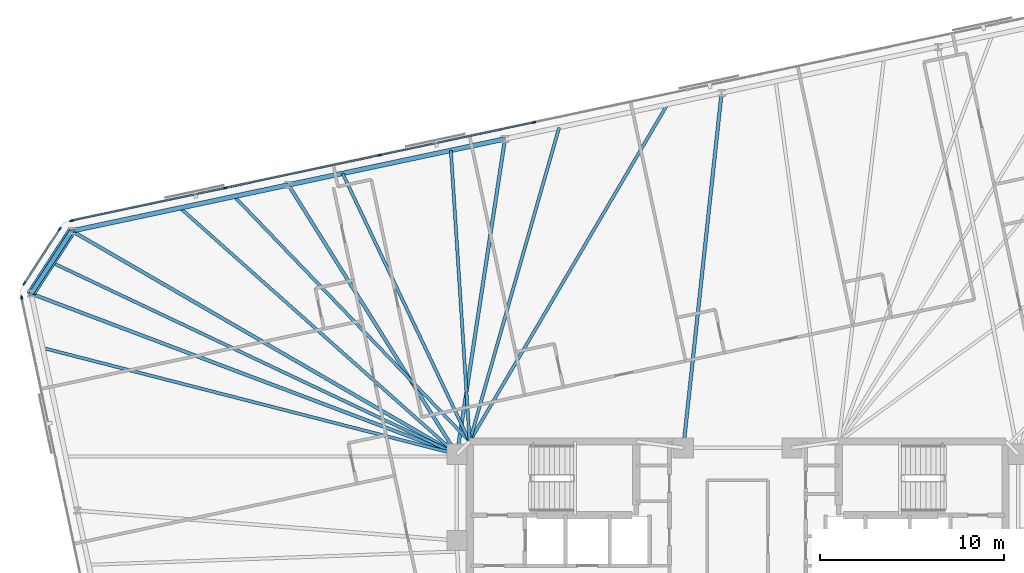
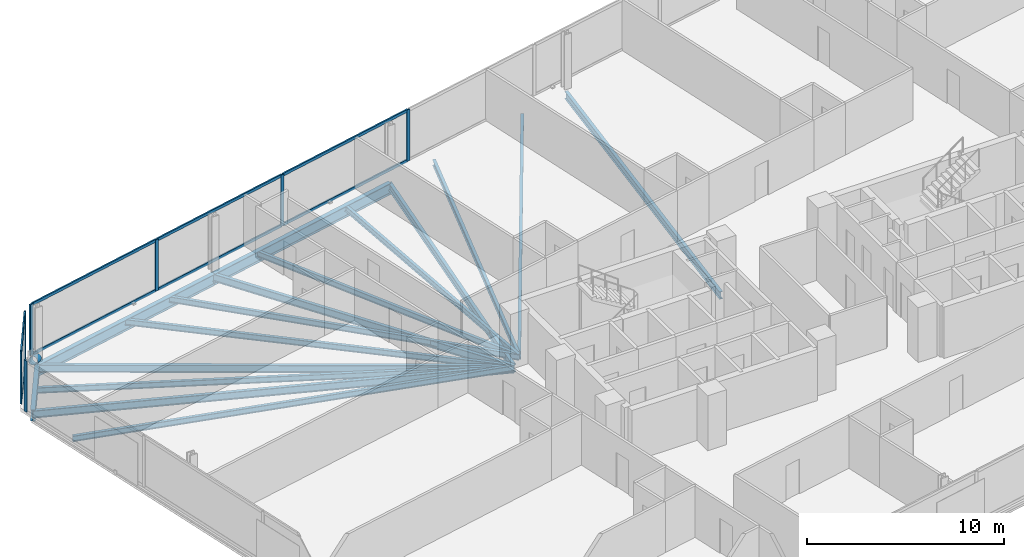
# One storey, part 9 of 19: 16 beams, 16 members, 3 elements without a shape of their own.
"""IFC4 building model written with IfcOpenShell, lengths in metres."""

from ifc_helpers import new_model, si_unit, direction, frame, origin, origin_2d, place, context, subcontext, project, spatial, rectangle, hollow_circle, i_section, extrude, material, material_profile, profile_set, type_object, element, aggregate, save


model = new_model("IFC4")

# Units and contexts
model_context = context("Model", 3, precision=1e-05, world=origin(), true_north=direction((0.0, 1.0)))
body_context = subcontext(model_context, "Body", "Model", "MODEL_VIEW")
ifc_project = project(units=[si_unit("LENGTHUNIT", "METRE"), si_unit("AREAUNIT", "SQUARE_METRE"), si_unit("VOLUMEUNIT", "CUBIC_METRE"), si_unit("PLANEANGLEUNIT", "RADIAN"), si_unit("MASSUNIT", "GRAM", prefix="KILO")], contexts=[model_context])

# Site, building, storey
site_placement = place(None, origin())
site = spatial("IfcSite", under=ifc_project, at=site_placement, CompositionType="ELEMENT")
building_placement = place(site_placement, origin())
building = spatial("IfcBuilding", under=site, at=building_placement, Name="Menara Jurai Vektor", CompositionType="ELEMENT")
storey_placement = place(building_placement, frame((0.0, 0.0, 161.60009765625)))
storey = spatial("IfcBuildingStorey", under=building, at=storey_placement, Name="L41", CompositionType="ELEMENT", Elevation=161.60009765625)

# Curtain wall, members
ifc_material_1 = material(Name="Anodised Pale Aluminium & Low-E Double Glazing", Category="aluminium")
curtain_wall_type = type_object("IfcCurtainWallType", Name="CW-BLK3", PredefinedType="NOTDEFINED", material=ifc_material_1)
curtain_wall_1_placement = place(storey_placement, origin())
curtain_wall_1 = element("IfcCurtainWall", 1, at=curtain_wall_1_placement, inside=storey, type_object=curtain_wall_type, Name="Unitised Curtain Wall L41 F05", PredefinedType="NOTDEFINED")
ifc_material_2 = material(Name="Anodised Pale Aluminium Mullion", Category="aluminium")
ifc_material_profile_1 = material_profile(ifc_material_2, rectangle(XDim=0.0849609375, YDim=0.205078125, at=origin_2d()), Name="ALU MUL 85x205")
ifc_profile_set_1 = profile_set([ifc_material_profile_1], Name="Anodised Pale Aluminium Mullion")
member_type_1 = type_object("IfcMemberType", Name="CW-BLK3-MUL", PredefinedType="MULLION", material=ifc_profile_set_1)
member_1_placement = place(storey_placement, frame((-11.06494140625, 22.9384765625, 0.0), z_axis=(0.0, 0.0, 1.0), x_axis=(0.207911344156, -0.978147674419, 0.0)))
member_1 = element("IfcMember", 2, at=member_1_placement, type_object=member_type_1, Name="CW-03 mullion 5", PredefinedType="MULLION", context=body_context, shape_type="SweptSolid", body=[
    extrude(rectangle(XDim=0.0849609375, YDim=0.205078125, at=origin_2d()), origin(), (0.0, 0.0, 1.0), 3.1748046875),
])
member_2_placement = place(storey_placement, frame((-19.45458984375, 21.1552734375, 0.0), z_axis=(0.0, 0.0, 1.0), x_axis=(0.207911344156, -0.978147674419, 0.0)))
member_2 = element("IfcMember", 3, at=member_2_placement, type_object=member_type_1, Name="CW-03 mullion 6", PredefinedType="MULLION", context=body_context, shape_type="SweptSolid", body=[
    extrude(rectangle(XDim=0.0849609375, YDim=0.205078125, at=origin_2d()), origin(), (0.0, 0.0, 1.0), 3.1748046875),
])
member_3_placement = place(storey_placement, frame((-27.844482421875, 19.3720703125, 0.0), z_axis=(0.0, 0.0, 1.0), x_axis=(0.207911344156, -0.978147674419, 0.0)))
member_3 = element("IfcMember", 4, at=member_3_placement, type_object=member_type_1, Name="CW-03 mullion 7", PredefinedType="MULLION", context=body_context, shape_type="SweptSolid", body=[
    extrude(rectangle(XDim=0.0849609375, YDim=0.205078125, at=origin_2d()), origin(), (0.0, 0.0, 1.0), 3.1748046875),
])
member_4_placement = place(storey_placement, frame((-36.192626953125, 17.59765625, 0.0), z_axis=(0.0, 0.0, 1.0), x_axis=(0.207911344156, -0.978147674419, 0.0)))
member_4 = element("IfcMember", 5, at=member_4_placement, type_object=member_type_1, Name="CW-03 mullion 8", PredefinedType="MULLION", context=body_context, shape_type="SweptSolid", body=[
    extrude(rectangle(XDim=0.0849609375, YDim=0.205078125, at=origin_2d()), origin(), (0.0, 0.0, 1.0), 3.1748046875),
])

curtain_wall_2_placement = place(storey_placement, origin())
curtain_wall_2 = element("IfcCurtainWall", 6, at=curtain_wall_2_placement, inside=storey, type_object=curtain_wall_type, Name="Unitised Curtain Wall L41 F06", PredefinedType="NOTDEFINED")
member_5_placement = place(storey_placement, frame((-36.8359375, 17.1552734375, 0.0), z_axis=(0.0, 0.0, 1.0), x_axis=(0.838684361415, -0.544617794346, 0.0)))
member_5 = element("IfcMember", 7, at=member_5_placement, type_object=member_type_1, Name="CW-03 mullion 1", PredefinedType="MULLION", context=body_context, shape_type="SweptSolid", body=[
    extrude(rectangle(XDim=0.0849609375, YDim=0.205078125, at=origin_2d()), origin(), (0.0, 0.0, 1.0), 3.1748046875),
])
member_6_placement = place(storey_placement, frame((-38.763427734375, 14.187255859375, 0.0), z_axis=(0.0, 0.0, 1.0), x_axis=(0.838684361415, -0.544617794346, 0.0)))
member_6 = element("IfcMember", 8, at=member_6_placement, type_object=member_type_1, Name="CW-03 mullion 2", PredefinedType="MULLION", context=body_context, shape_type="SweptSolid", body=[
    extrude(rectangle(XDim=0.0849609375, YDim=0.205078125, at=origin_2d()), origin(), (0.0, 0.0, 1.0), 3.1748046875),
])

# Curtain wall, member
curtain_wall_3_placement = place(storey_placement, origin())
curtain_wall_3 = element("IfcCurtainWall", 9, at=curtain_wall_3_placement, inside=storey, type_object=curtain_wall_type, Name="Unitised Curtain Wall L41 F07", PredefinedType="NOTDEFINED")
member_7_placement = place(storey_placement, frame((-38.90576171875, 13.419677734375, 0.0), z_axis=(0.0, 0.0, 1.0), x_axis=(0.978147883949, 0.20791035839, 0.0)))
member_7 = element("IfcMember", 10, at=member_7_placement, type_object=member_type_1, Name="CW-03 mullion 1", PredefinedType="MULLION", context=body_context, shape_type="SweptSolid", body=[
    extrude(rectangle(XDim=0.0849609375, YDim=0.205078125, at=origin_2d()), origin(), (0.0, 0.0, 1.0), 3.1748046875),
])
aggregate(curtain_wall_3, [member_7])

# Member
ifc_material_3 = material(Name="Anodised Pale Aluminium Transom", Category="aluminium")
ifc_material_profile_2 = material_profile(ifc_material_3, rectangle(XDim=0.0849609375, YDim=0.175048828125, at=origin_2d()), Name="ALU TRN 85x175")
ifc_profile_set_2 = profile_set([ifc_material_profile_2], Name="Anodised Pale Aluminium Transom")
member_type_2 = type_object("IfcMemberType", Name="CW-BLK3-TRN", PredefinedType="USERDEFINED", material=ifc_profile_set_2)
member_8_placement = place(storey_placement, frame((-11.1064453125, 22.9296875, 0.04248046875), z_axis=(-0.978147743708, -0.207911018178, 0.0), x_axis=(0.207911018178, -0.978147743708, 0.0)))
member_8 = element("IfcMember", 11, at=member_8_placement, type_object=member_type_2, Name="CW-03 transom 5.1", ObjectType="TRANSOM", PredefinedType="USERDEFINED", context=body_context, shape_type="SweptSolid", body=[
    extrude(rectangle(XDim=0.0849609375, YDim=0.175048828125, at=origin_2d()), origin(), (0.0, 0.0, 1.0), 8.4921875),
])

member_9_placement = place(storey_placement, frame((-11.1064453125, 22.9296875, 3.13232421875), z_axis=(-0.978147743708, -0.207911018178, 0.0), x_axis=(0.207911018178, -0.978147743708, 0.0)))
member_9 = element("IfcMember", 12, at=member_9_placement, type_object=member_type_2, Name="CW-03 transom 5.2", ObjectType="TRANSOM", PredefinedType="USERDEFINED", context=body_context, shape_type="SweptSolid", body=[
    extrude(rectangle(XDim=0.0849609375, YDim=0.175048828125, at=origin_2d()), origin(), (0.0, 0.0, 1.0), 8.4921875),
])

member_10_placement = place(storey_placement, frame((-19.496337890625, 21.146484375, 0.04248046875), z_axis=(-0.978146500933, -0.207916864907, 0.0), x_axis=(0.207916864907, -0.978146500933, 0.0)))
member_10 = element("IfcMember", 13, at=member_10_placement, type_object=member_type_2, Name="CW-03 transom 6.1", ObjectType="TRANSOM", PredefinedType="USERDEFINED", context=body_context, shape_type="SweptSolid", body=[
    extrude(rectangle(XDim=0.0849609375, YDim=0.175048828125, at=origin_2d()), origin(), (0.0, 0.0, 1.0), 8.491943359375),
])

member_11_placement = place(storey_placement, frame((-19.496337890625, 21.146484375, 3.13232421875), z_axis=(-0.978146500933, -0.207916864907, 0.0), x_axis=(0.207916864907, -0.978146500933, 0.0)))
member_11 = element("IfcMember", 14, at=member_11_placement, type_object=member_type_2, Name="CW-03 transom 6.2", ObjectType="TRANSOM", PredefinedType="USERDEFINED", context=body_context, shape_type="SweptSolid", body=[
    extrude(rectangle(XDim=0.0849609375, YDim=0.175048828125, at=origin_2d()), origin(), (0.0, 0.0, 1.0), 8.491943359375),
])

member_12_placement = place(storey_placement, frame((-27.885986328125, 19.363037109375, 0.04248046875), z_axis=(-0.978151580361, -0.207892967261, 0.0), x_axis=(0.207892967261, -0.978151580361, 0.0)))
member_12 = element("IfcMember", 15, at=member_12_placement, type_object=member_type_2, Name="CW-03 transom 7.1", ObjectType="TRANSOM", PredefinedType="USERDEFINED", context=body_context, shape_type="SweptSolid", body=[
    extrude(rectangle(XDim=0.0849609375, YDim=0.175048828125, at=origin_2d()), origin(), (0.0, 0.0, 1.0), 8.449462890625),
])

member_13_placement = place(storey_placement, frame((-27.885986328125, 19.363037109375, 3.13232421875), z_axis=(-0.978151580361, -0.207892967261, 0.0), x_axis=(0.207892967261, -0.978151580361, 0.0)))
member_13 = element("IfcMember", 16, at=member_13_placement, type_object=member_type_2, Name="CW-03 transom 7.2", ObjectType="TRANSOM", PredefinedType="USERDEFINED", context=body_context, shape_type="SweptSolid", body=[
    extrude(rectangle(XDim=0.0849609375, YDim=0.175048828125, at=origin_2d()), origin(), (0.0, 0.0, 1.0), 8.449462890625),
])

aggregate(curtain_wall_1, [member_1, member_2, member_3, member_4, member_8, member_9, member_10, member_11, member_12, member_13])

member_14_placement = place(storey_placement, frame((-36.859130859375, 17.11962890625, 0.04248046875), z_axis=(-0.54462804274, -0.83867770631, 0.0), x_axis=(0.83867770631, -0.54462804274, 0.0)))
member_14 = element("IfcMember", 17, at=member_14_placement, type_object=member_type_2, Name="CW-03 transom 1.1", ObjectType="TRANSOM", PredefinedType="USERDEFINED", context=body_context, shape_type="SweptSolid", body=[
    extrude(rectangle(XDim=0.0849609375, YDim=0.175048828125, at=origin_2d()), origin(), (0.0, 0.0, 1.0), 3.453857421875),
])

member_15_placement = place(storey_placement, frame((-36.859130859375, 17.11962890625, 3.13232421875), z_axis=(-0.54462804274, -0.83867770631, 0.0), x_axis=(0.83867770631, -0.54462804274, 0.0)))
member_15 = element("IfcMember", 18, at=member_15_placement, type_object=member_type_2, Name="CW-03 transom 1.2", ObjectType="TRANSOM", PredefinedType="USERDEFINED", context=body_context, shape_type="SweptSolid", body=[
    extrude(rectangle(XDim=0.0849609375, YDim=0.175048828125, at=origin_2d()), origin(), (0.0, 0.0, 1.0), 3.453857421875),
])

aggregate(curtain_wall_2, [member_5, member_6, member_14, member_15])

# Beams
ifc_material_4 = material(Name="Steel S355", Category="steel")
ifc_material_profile_3 = material_profile(ifc_material_4, i_section(OverallWidth=0.19091796875, OverallDepth=0.4599609375, WebThickness=0.010009765625, FlangeThickness=0.01611328125, FilletRadius=0.010009765625, at=origin_2d()), Name="UKB 457x191x82")
ifc_profile_set_3 = profile_set([ifc_material_profile_3], Name="Steel S355")
beam_type_1 = type_object("IfcBeamType", Name="STR-BM-457", PredefinedType="BEAM", material=ifc_profile_set_3)
beam_1_placement = place(storey_placement, frame((-0.87158203125, 24.54296875, -0.455078125), z_axis=(-0.107107067506, -0.994247492373, 0.0), x_axis=(0.994247492373, -0.107107067506, 0.0)))
element("IfcBeam", 19, at=beam_1_placement, inside=storey, type_object=beam_type_1, Name="Radial Floor Girder L41-N3", PredefinedType="BEAM", context=body_context, shape_type="SweptSolid", body=[
    extrude(i_section(OverallWidth=0.19091796875, OverallDepth=0.4599609375, WebThickness=0.010009765625, FlangeThickness=0.01611328125, FilletRadius=0.010009765625, at=origin_2d()), origin(), (0.0, 0.0, 1.0), 19.404541015625),
])
beam_2_placement = place(storey_placement, frame((-12.639892578125, 22.04150390625, -0.455078125), z_axis=(-0.150532344322, -0.988605084608, 0.0), x_axis=(0.988605084608, -0.150532344322, 0.0)))
element("IfcBeam", 20, at=beam_2_placement, inside=storey, type_object=beam_type_1, Name="Radial Floor Girder L41-N4", PredefinedType="BEAM", context=body_context, shape_type="SweptSolid", body=[
    extrude(i_section(OverallWidth=0.19091796875, OverallDepth=0.4599609375, WebThickness=0.010009765625, FlangeThickness=0.01611328125, FilletRadius=0.010009765625, at=origin_2d()), origin(), (0.0, 0.0, 1.0), 17.339111328125),
])
beam_3_placement = place(storey_placement, frame((-24.408203125, 19.5400390625, -0.455078125), z_axis=(0.53033693414, -0.847786963976, 0.0), x_axis=(0.847786963976, 0.53033693414, 0.0)))
element("IfcBeam", 21, at=beam_3_placement, inside=storey, type_object=beam_type_1, Name="Radial Floor Girder L41-N5", PredefinedType="BEAM", context=body_context, shape_type="SweptSolid", body=[
    extrude(i_section(OverallWidth=0.19091796875, OverallDepth=0.4599609375, WebThickness=0.010009765625, FlangeThickness=0.01611328125, FilletRadius=0.010009765625, at=origin_2d()), origin(), (0.0, 0.0, 1.0), 17.2685546875),
])
beam_4_placement = place(storey_placement, frame((-36.17626953125, 17.038818359375, -0.455078125), z_axis=(0.86500105453, -0.50177004261, 0.0), x_axis=(0.50177004261, 0.86500105453, 0.0)))
element("IfcBeam", 22, at=beam_4_placement, inside=storey, type_object=beam_type_1, Name="Radial Floor Girder L41-N6", PredefinedType="BEAM", context=body_context, shape_type="SweptSolid", body=[
    extrude(i_section(OverallWidth=0.19091796875, OverallDepth=0.4599609375, WebThickness=0.010009765625, FlangeThickness=0.01611328125, FilletRadius=0.010009765625, at=origin_2d()), origin(), (0.0, 0.0, 1.0), 24.192138671875),
])
beam_5_placement = place(storey_placement, frame((-38.388671875, 13.632080078125, -0.455078125), z_axis=(0.935593658977, -0.353078610626, 0.0), x_axis=(0.353078610626, 0.935593658977, 0.0)))
element("IfcBeam", 23, at=beam_5_placement, inside=storey, type_object=beam_type_1, Name="Radial Floor Girder L41-W1", PredefinedType="BEAM", context=body_context, shape_type="SweptSolid", body=[
    extrude(i_section(OverallWidth=0.19091796875, OverallDepth=0.4599609375, WebThickness=0.010009765625, FlangeThickness=0.01611328125, FilletRadius=0.010009765625, at=origin_2d()), origin(), (0.0, 0.0, 1.0), 24.7314453125),
])

# Member
ifc_material_5 = material(Name="Steel S460", Category="steel")
ifc_material_profile_4 = material_profile(ifc_material_5, hollow_circle(Radius=0.228515625, WallThickness=0.01611328125, at=origin_2d()), Name="CHS 457x16")
ifc_profile_set_4 = profile_set([ifc_material_profile_4], Name="Steel S460")
member_type_3 = type_object("IfcMemberType", Name="STR-BR-457", PredefinedType="BRACE", material=ifc_profile_set_4)
member_16_placement = place(storey_placement, frame((-36.17626953125, 17.03857421875, 0.14990234375), z_axis=(-0.454887866849, -0.700402825662, 0.5500117366), x_axis=(0.838648168484, -0.544673525608, 0.0)))
element("IfcMember", 24, at=member_16_placement, inside=storey, type_object=member_type_3, Name="Exoskeleton Corner Brace L41-3", PredefinedType="BRACE", context=body_context, shape_type="SweptSolid", body=[
    extrude(hollow_circle(Radius=0.228515625, WallThickness=0.01611328125, at=origin_2d()), origin(), (0.0, 0.0, 1.0), 4.863525390625),
])

# Beams
ifc_material_profile_5 = material_profile(ifc_material_4, i_section(OverallWidth=0.172119140625, OverallDepth=0.35498046875, WebThickness=0.007080078125, FlangeThickness=0.011962890625, FilletRadius=0.010009765625, at=origin_2d()), Name="UKB 356x171x51")
ifc_profile_set_5 = profile_set([ifc_material_profile_5], Name="Steel S355")
beam_type_2 = type_object("IfcBeamType", Name="STR-JS-356", PredefinedType="JOIST", material=ifc_profile_set_5)
beam_6_placement = place(storey_placement, frame((-3.813720703125, 23.91748046875, -0.402587890625), z_axis=(-0.506019514775, -0.862522029091, 0.0), x_axis=(0.862522029091, -0.506019514775, 0.0)))
element("IfcBeam", 25, at=beam_6_placement, inside=storey, type_object=beam_type_2, Name="Radial Secondary Floor Joist L41-JS22", PredefinedType="JOIST", context=body_context, shape_type="SweptSolid", body=[
    extrude(i_section(OverallWidth=0.172119140625, OverallDepth=0.35498046875, WebThickness=0.007080078125, FlangeThickness=0.011962890625, FilletRadius=0.010009765625, at=origin_2d()), origin(), (0.0, 0.0, 1.0), 21.237060546875),
])
beam_7_placement = place(storey_placement, frame((-9.69775390625, 22.666748046875, -0.402587890625), z_axis=(-0.273997863708, -0.961730300387, 0.0), x_axis=(0.961730300387, -0.273997863708, 0.0)))
element("IfcBeam", 26, at=beam_7_placement, inside=storey, type_object=beam_type_2, Name="Radial Secondary Floor Joist L41-JS23", PredefinedType="JOIST", context=body_context, shape_type="SweptSolid", body=[
    extrude(i_section(OverallWidth=0.172119140625, OverallDepth=0.35498046875, WebThickness=0.007080078125, FlangeThickness=0.011962890625, FilletRadius=0.010009765625, at=origin_2d()), origin(), (0.0, 0.0, 1.0), 17.745849609375),
])
beam_8_placement = place(storey_placement, frame((-15.581787109375, 21.416015625, -0.402587890625), z_axis=(0.064466897528, -0.997919846041, 0.0), x_axis=(0.997919846041, 0.064466897528, 0.0)))
element("IfcBeam", 27, at=beam_8_placement, inside=storey, type_object=beam_type_2, Name="Radial Secondary Floor Joist L41-JS24", PredefinedType="JOIST", context=body_context, shape_type="SweptSolid", body=[
    extrude(i_section(OverallWidth=0.172119140625, OverallDepth=0.35498046875, WebThickness=0.007080078125, FlangeThickness=0.011962890625, FilletRadius=0.010009765625, at=origin_2d()), origin(), (0.0, 0.0, 1.0), 15.848876953125),
])
beam_9_placement = place(storey_placement, frame((-21.466064453125, 20.165283203125, -0.402587890625), z_axis=(0.428426167333, -0.903576792057, 0.0), x_axis=(0.903576792057, 0.428426167333, 0.0)))
element("IfcBeam", 28, at=beam_9_placement, inside=storey, type_object=beam_type_2, Name="Radial Secondary Floor Joist L41-JS25", PredefinedType="JOIST", context=body_context, shape_type="SweptSolid", body=[
    extrude(i_section(OverallWidth=0.172119140625, OverallDepth=0.35498046875, WebThickness=0.007080078125, FlangeThickness=0.011962890625, FilletRadius=0.010009765625, at=origin_2d()), origin(), (0.0, 0.0, 1.0), 16.119384765625),
])
beam_10_placement = place(storey_placement, frame((-27.35009765625, 18.914794921875, -0.402587890625), z_axis=(0.692755307066, -0.721172714772, 0.0), x_axis=(0.721172714772, 0.692755307066, 0.0)))
element("IfcBeam", 29, at=beam_10_placement, inside=storey, type_object=beam_type_2, Name="Radial Secondary Floor Joist L41-JS26", PredefinedType="JOIST", context=body_context, shape_type="SweptSolid", body=[
    extrude(i_section(OverallWidth=0.172119140625, OverallDepth=0.35498046875, WebThickness=0.007080078125, FlangeThickness=0.011962890625, FilletRadius=0.010009765625, at=origin_2d()), origin(), (0.0, 0.0, 1.0), 18.462646484375),
])
beam_11_placement = place(storey_placement, frame((-30.292236328125, 18.289306640625, -0.402587890625), z_axis=(0.746952302948, -0.664877625673, 0.0), x_axis=(0.664877625673, 0.746952302948, 0.0)))
element("IfcBeam", 30, at=beam_11_placement, inside=storey, type_object=beam_type_2, Name="Radial Secondary Floor Joist L41-JS27", PredefinedType="JOIST", context=body_context, shape_type="SweptSolid", body=[
    extrude(i_section(OverallWidth=0.172119140625, OverallDepth=0.35498046875, WebThickness=0.007080078125, FlangeThickness=0.011962890625, FilletRadius=0.010009765625, at=origin_2d()), origin(), (0.0, 0.0, 1.0), 20.13818359375),
])
beam_12_placement = place(storey_placement, frame((-37.282470703125, 15.33544921875, -0.402587890625), z_axis=(0.903751908448, -0.428056641085, 0.0), x_axis=(0.428056641085, 0.903751908448, 0.0)))
element("IfcBeam", 31, at=beam_12_placement, inside=storey, type_object=beam_type_2, Name="Radial Secondary Floor Joist L41-JS28", PredefinedType="JOIST", context=body_context, shape_type="SweptSolid", body=[
    extrude(i_section(OverallWidth=0.172119140625, OverallDepth=0.35498046875, WebThickness=0.007080078125, FlangeThickness=0.011962890625, FilletRadius=0.010009765625, at=origin_2d()), origin(), (0.0, 0.0, 1.0), 24.37890625),
])
beam_13_placement = place(storey_placement, frame((-37.76220703125, 10.68505859375, -0.402587890625), z_axis=(0.968531283953, -0.248891848005, 0.0), x_axis=(0.248891848005, 0.968531283953, 0.0)))
element("IfcBeam", 32, at=beam_13_placement, inside=storey, type_object=beam_type_2, Name="Radial Secondary Floor Joist L41-JS29", PredefinedType="JOIST", context=body_context, shape_type="SweptSolid", body=[
    extrude(i_section(OverallWidth=0.172119140625, OverallDepth=0.35498046875, WebThickness=0.007080078125, FlangeThickness=0.011962890625, FilletRadius=0.010009765625, at=origin_2d()), origin(), (0.0, 0.0, 1.0), 23.24365234375),
])
ifc_material_profile_6 = material_profile(ifc_material_5, i_section(OverallWidth=0.256103515625, OverallDepth=0.693115234375, WebThickness=0.013916015625, FlangeThickness=0.02392578125, FilletRadius=0.014892578125, at=origin_2d()), Name="UKB 686x254x170")
ifc_profile_set_6 = profile_set([ifc_material_profile_6], Name="Steel S460")
beam_type_3 = type_object("IfcBeamType", Name="STR-SP-686", PredefinedType="SPANDREL", material=ifc_profile_set_6)
beam_14_placement = place(storey_placement, frame((-12.639892578125, 22.04150390625, -0.571533203125), z_axis=(-0.978147039247, -0.207914332389, 0.0), x_axis=(0.207914332389, -0.978147039247, 0.0)))
element("IfcBeam", 33, at=beam_14_placement, inside=storey, type_object=beam_type_3, Name="Exoskeleton Spandrel Beam L41-14", PredefinedType="SPANDREL", context=body_context, shape_type="SweptSolid", body=[
    extrude(i_section(OverallWidth=0.256103515625, OverallDepth=0.693115234375, WebThickness=0.013916015625, FlangeThickness=0.02392578125, FilletRadius=0.014892578125, at=origin_2d()), origin(), (0.0, 0.0, 1.0), 12.03125),
])
beam_15_placement = place(storey_placement, frame((-24.408203125, 19.5400390625, -0.571533203125), z_axis=(-0.978150288855, -0.207899043801, 0.0), x_axis=(0.207899043801, -0.978150288855, 0.0)))
element("IfcBeam", 34, at=beam_15_placement, inside=storey, type_object=beam_type_3, Name="Exoskeleton Spandrel Beam L41-15", PredefinedType="SPANDREL", context=body_context, shape_type="SweptSolid", body=[
    extrude(i_section(OverallWidth=0.256103515625, OverallDepth=0.693115234375, WebThickness=0.013916015625, FlangeThickness=0.02392578125, FilletRadius=0.014892578125, at=origin_2d()), origin(), (0.0, 0.0, 1.0), 12.031005859375),
])
beam_16_placement = place(storey_placement, frame((-36.17626953125, 17.038818359375, -0.571533203125), z_axis=(-0.544646071268, -0.838665998507, 0.0), x_axis=(0.838665998507, -0.544646071268, 0.0)))
element("IfcBeam", 35, at=beam_16_placement, inside=storey, type_object=beam_type_3, Name="Exoskeleton Spandrel Beam L41-16", PredefinedType="SPANDREL", context=body_context, shape_type="SweptSolid", body=[
    extrude(i_section(OverallWidth=0.256103515625, OverallDepth=0.693115234375, WebThickness=0.013916015625, FlangeThickness=0.02392578125, FilletRadius=0.014892578125, at=origin_2d()), origin(), (0.0, 0.0, 1.0), 4.06201171875),
])

save(model, "model.ifc")
